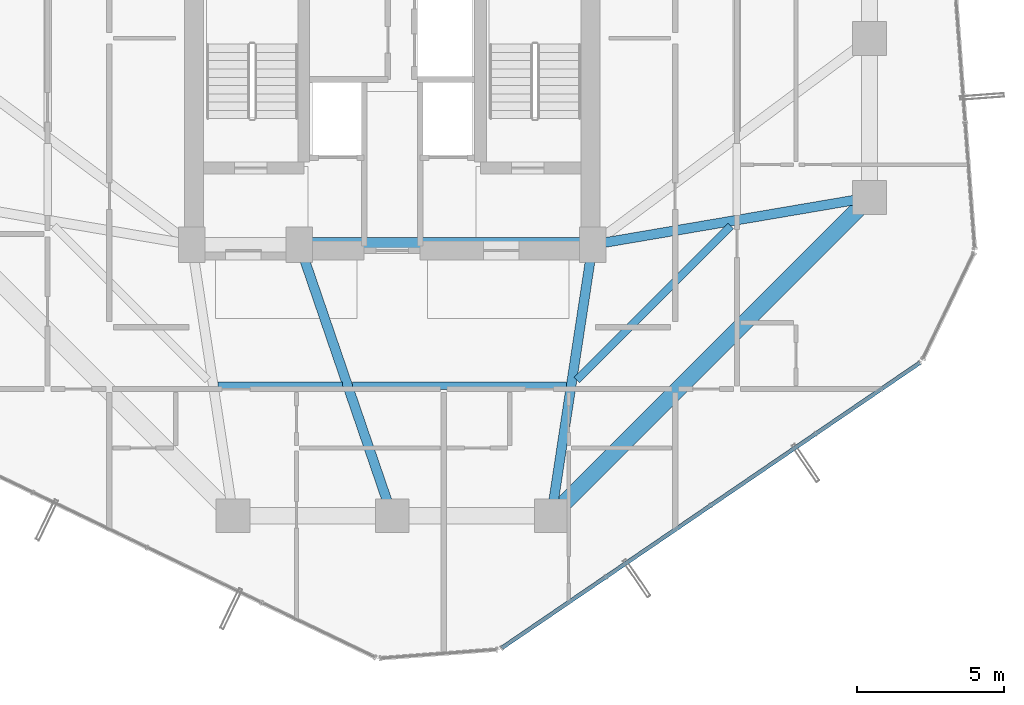
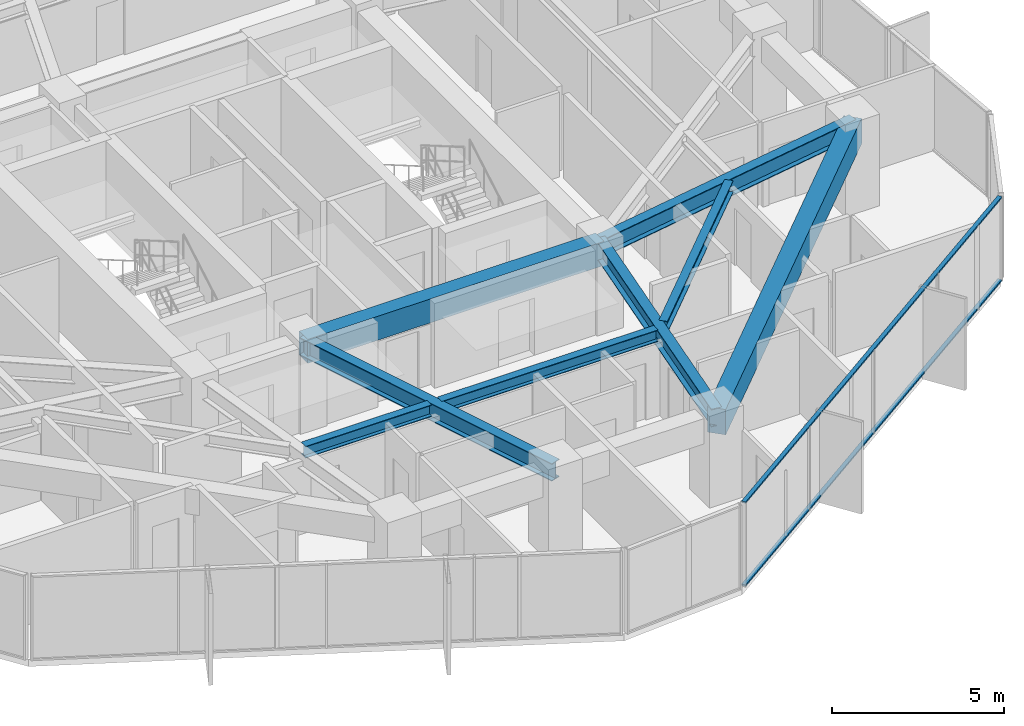
# One storey, part 9 of 35: 8 beams, 2 members, 1 element without a shape of its own.
"""IFC4 building model written with IfcOpenShell, lengths in metres."""

from ifc_helpers import new_model, si_unit, direction, frame, origin, origin_2d, place, context, subcontext, project, spatial, rectangle, hollow_rectangle, i_section, extrude, source, transform, mapped, material, layer, layer_set, material_profile, profile_set, type_object, element, aggregate, save


model = new_model("IFC4")

# Units and contexts
model_context = context("Model", 3, precision=1e-05, world=origin(), true_north=direction((0.0, 1.0)))
body_context = subcontext(model_context, "Body", "Model", "MODEL_VIEW")
ifc_project = project(units=[si_unit("LENGTHUNIT", "METRE"), si_unit("AREAUNIT", "SQUARE_METRE"), si_unit("VOLUMEUNIT", "CUBIC_METRE"), si_unit("PLANEANGLEUNIT", "RADIAN"), si_unit("MASSUNIT", "GRAM", prefix="KILO")], contexts=[model_context])

# Site, building, storey
site_placement = place(None, origin())
site = spatial("IfcSite", under=ifc_project, at=site_placement, CompositionType="ELEMENT")
building_placement = place(site_placement, origin())
building = spatial("IfcBuilding", under=site, at=building_placement, Name="Veraguas Prism Commons", CompositionType="ELEMENT")
storey_placement = place(building_placement, frame((0.0, 0.0, 142.5)))
storey = spatial("IfcBuildingStorey", under=building, at=storey_placement, Name="L40", CompositionType="ELEMENT", Elevation=142.5)

# Beams
ifc_material_1 = material(Name="Concrete C50/60", Category="concrete")
ifc_material_profile_1 = material_profile(ifc_material_1, rectangle(XDim=0.5, YDim=0.85009765625, at=origin_2d()), Name="RC500X850")
ifc_profile_set_1 = profile_set([ifc_material_profile_1], Name="Concrete C50/60")
beam_type_1 = type_object("IfcBeamType", Name="Core Coupling Beam RC 500x850", PredefinedType="BEAM", material=ifc_profile_set_1)
beam_1_placement = place(storey_placement, frame((20.85009765625, 17.0, 2.574951171875), z_axis=(1.0, 0.0, 0.0), x_axis=(0.0, 1.0, 0.0)))
element("IfcBeam", 1, at=beam_1_placement, inside=storey, type_object=beam_type_1, Name="Core Coupling Beam L40-CRS2", PredefinedType="BEAM", context=body_context, shape_type="SweptSolid", body=[
    extrude(rectangle(XDim=0.5, YDim=0.85009765625, at=origin_2d()), origin(), (0.0, 0.0, 1.0), 9.949951171875),
])
ifc_material_2 = material(Name="Steel ASTM A992 Grade 50", Category="steel")
ifc_material_profile_2 = material_profile(ifc_material_2, i_section(OverallWidth=0.260986328125, OverallDepth=0.419921875, WebThickness=0.01171875, FlangeThickness=0.019287109375, at=origin_2d()), Name="W410X114")
ifc_profile_set_2 = profile_set([ifc_material_profile_2], Name="Steel ASTM A992 Grade 50")
beam_type_2 = type_object("IfcBeamType", Name="Lower Floor Joist W410x114", PredefinedType="JOIST", material=ifc_profile_set_2)
beam_2_placement = place(storey_placement, frame((18.091796875, 12.216064453125, 2.7900390625), z_axis=(1.0, 0.0, 0.0), x_axis=(0.0, 1.0, 0.0)))
element("IfcBeam", 2, at=beam_2_placement, inside=storey, type_object=beam_type_2, Name="Composite Floor Joist L40-JS10", PredefinedType="JOIST", context=body_context, shape_type="SweptSolid", body=[
    extrude(i_section(OverallWidth=0.260986328125, OverallDepth=0.419921875, WebThickness=0.01171875, FlangeThickness=0.019287109375, at=origin_2d()), origin(), (0.0, 0.0, 1.0), 4.22509765625),
])
beam_3_placement = place(storey_placement, frame((22.6591796875, 12.216064453125, 2.7900390625), z_axis=(1.0, 0.0, 0.0), x_axis=(0.0, 1.0, 0.0)))
element("IfcBeam", 3, at=beam_3_placement, inside=storey, type_object=beam_type_2, Name="Composite Floor Joist L40-JS11", PredefinedType="JOIST", context=body_context, shape_type="SweptSolid", body=[
    extrude(i_section(OverallWidth=0.260986328125, OverallDepth=0.419921875, WebThickness=0.01171875, FlangeThickness=0.019287109375, at=origin_2d()), origin(), (0.0, 0.0, 1.0), 7.2490234375),
])
beam_4_placement = place(storey_placement, frame((30.265380859375, 12.4091796875, 2.7900390625), z_axis=(0.707090260193, 0.707123301794, 0.0), x_axis=(-0.707123301794, 0.707090260193, 0.0)))
element("IfcBeam", 4, at=beam_4_placement, inside=storey, type_object=beam_type_2, Name="Composite Floor Joist L40-JS12", PredefinedType="JOIST", context=body_context, shape_type="SweptSolid", body=[
    extrude(i_section(OverallWidth=0.260986328125, OverallDepth=0.419921875, WebThickness=0.01171875, FlangeThickness=0.019287109375, at=origin_2d()), origin(), (0.0, 0.0, 1.0), 7.388916015625),
])
ifc_material_profile_3 = material_profile(ifc_material_1, rectangle(XDim=0.550048828125, YDim=0.89990234375, at=origin_2d()), Name="RC550X900")
ifc_profile_set_3 = profile_set([ifc_material_profile_3], Name="Concrete C50/60")
beam_type_3 = type_object("IfcBeamType", Name="Perimeter Spandrel Lower RC 550x900", PredefinedType="SPANDREL", material=ifc_profile_set_3)
beam_5_placement = place(storey_placement, frame((29.39990234375, 7.800048828125, 2.550048828125), z_axis=(0.707106781187, 0.707106781187, 0.0), x_axis=(-0.707106781187, 0.707106781187, 0.0)))
element("IfcBeam", 5, at=beam_5_placement, inside=storey, type_object=beam_type_3, Name="Perimeter Spandrel Beam L40-SP12", PredefinedType="SPANDREL", context=body_context, shape_type="SweptSolid", body=[
    extrude(rectangle(XDim=0.550048828125, YDim=0.89990234375, at=origin_2d()), origin(), (0.0, 0.0, 1.0), 15.273681640625),
])
ifc_material_profile_4 = material_profile(ifc_material_2, i_section(OverallWidth=0.327880859375, OverallDepth=0.6220703125, WebThickness=0.015380859375, FlangeThickness=0.0244140625, at=origin_2d()), Name="W610X195")
ifc_profile_set_4 = profile_set([ifc_material_profile_4], Name="Steel ASTM A992 Grade 50")
beam_type_4 = type_object("IfcBeamType", Name="Zone 2 Radial Girder W610x195", PredefinedType="BEAM", material=ifc_profile_set_4)
beam_6_placement = place(storey_placement, frame((40.199951171875, 18.60009765625, 2.68896484375), z_axis=(-0.985819187151, -0.1678109956, 0.0), x_axis=(0.1678109956, -0.985819187151, 0.0)))
element("IfcBeam", 6, at=beam_6_placement, inside=storey, type_object=beam_type_4, Name="Radial Floor Girder L40-RD01", PredefinedType="BEAM", context=body_context, shape_type="SweptSolid", body=[
    extrude(i_section(OverallWidth=0.327880859375, OverallDepth=0.6220703125, WebThickness=0.015380859375, FlangeThickness=0.0244140625, at=origin_2d()), origin(), (0.0, 0.0, 1.0), 9.53515625),
])
beam_7_placement = place(storey_placement, frame((24.0, 7.800048828125, 2.68896484375), z_axis=(-0.323922482989, 0.946083624747, 0.0), x_axis=(-0.946083624747, -0.323922482989, 0.0)))
element("IfcBeam", 7, at=beam_7_placement, inside=storey, type_object=beam_type_4, Name="Radial Floor Girder L40-RD11", PredefinedType="BEAM", context=body_context, shape_type="SweptSolid", body=[
    extrude(i_section(OverallWidth=0.327880859375, OverallDepth=0.6220703125, WebThickness=0.015380859375, FlangeThickness=0.0244140625, at=origin_2d()), origin(), (0.0, 0.0, 1.0), 9.724365234375),
])
beam_8_placement = place(storey_placement, frame((29.39990234375, 7.800048828125, 2.68896484375), z_axis=(0.150458162136, 0.98861637729, 0.0), x_axis=(-0.98861637729, 0.150458162136, 0.0)))
element("IfcBeam", 8, at=beam_8_placement, inside=storey, type_object=beam_type_4, Name="Radial Floor Girder L40-RD12", PredefinedType="BEAM", context=body_context, shape_type="SweptSolid", body=[
    extrude(i_section(OverallWidth=0.327880859375, OverallDepth=0.6220703125, WebThickness=0.015380859375, FlangeThickness=0.0244140625, at=origin_2d()), origin(), (0.0, 0.0, 1.0), 9.305908203125),
])

# Curtain wall, members
ifc_material_3 = material(Name="Anodised aluminium EN AW-6063 T6", Category="aluminium")
ifc_layer = layer(ifc_material_3, 0.169921875, Name="Unitised Flush Curtain Wall Zone 2", Category="aluminium")
ifc_layer_set = layer_set([ifc_layer], Name="Anodised aluminium EN AW-6063 T6")
curtain_wall_type = type_object("IfcCurtainWallType", Name="Unitised Flush Curtain Wall Zone 2", PredefinedType="NOTDEFINED", material=ifc_layer_set)
curtain_wall_placement = place(storey_placement, origin())
curtain_wall = element("IfcCurtainWall", 9, at=curtain_wall_placement, inside=storey, type_object=curtain_wall_type, Name="Tower Facade Curtain Wall L40-F5", PredefinedType="NOTDEFINED")
ifc_material_profile_5 = material_profile(ifc_material_3, hollow_rectangle(XDim=0.054931640625, YDim=0.135009765625, WallThickness=0.0029296875, at=origin_2d()), Name="AL55X135X3")
ifc_profile_set_5 = profile_set([ifc_material_profile_5], Name="Anodised aluminium EN AW-6063 T6")
member_type = type_object("IfcMemberType", Name="Curtain Wall Transom Standard AL 55x135x3", PredefinedType="USERDEFINED", material=ifc_profile_set_5)
shared_shape = source(origin(), body_context, "Body", "SweptSolid", [
    extrude(hollow_rectangle(XDim=0.054931640625, YDim=0.135009765625, WallThickness=0.0029296875, at=origin_2d()), origin(), (0.0, 0.0, 1.0), 17.17431640625),
])
member_1_placement = place(storey_placement, frame((27.716064453125, 3.314208984375, 0.027587890625), z_axis=(0.826093785697, 0.563532658532, 0.0), x_axis=(0.0, 0.0, 1.0)))
member_1 = element("IfcMember", 10, at=member_1_placement, type_object=member_type, Name="CW-Z2 Transom 1", ObjectType="TRANSOM", PredefinedType="USERDEFINED", context=body_context, shape_type="MappedRepresentation", body=[
    mapped(shared_shape, transform((0.0, 0.0, 0.0), scale=1.0)),
])
member_2_placement = place(storey_placement, frame((27.716064453125, 3.314208984375, 2.972412109375), z_axis=(0.826093785697, 0.563532658532, 0.0), x_axis=(0.0, 0.0, 1.0)))
member_2 = element("IfcMember", 11, at=member_2_placement, type_object=member_type, Name="CW-Z2 Transom 2", ObjectType="TRANSOM", PredefinedType="USERDEFINED", context=body_context, shape_type="MappedRepresentation", body=[
    mapped(shared_shape, transform((0.0, 0.0, 0.0), scale=1.0)),
])
aggregate(curtain_wall, [member_1, member_2])

save(model, "model.ifc")
